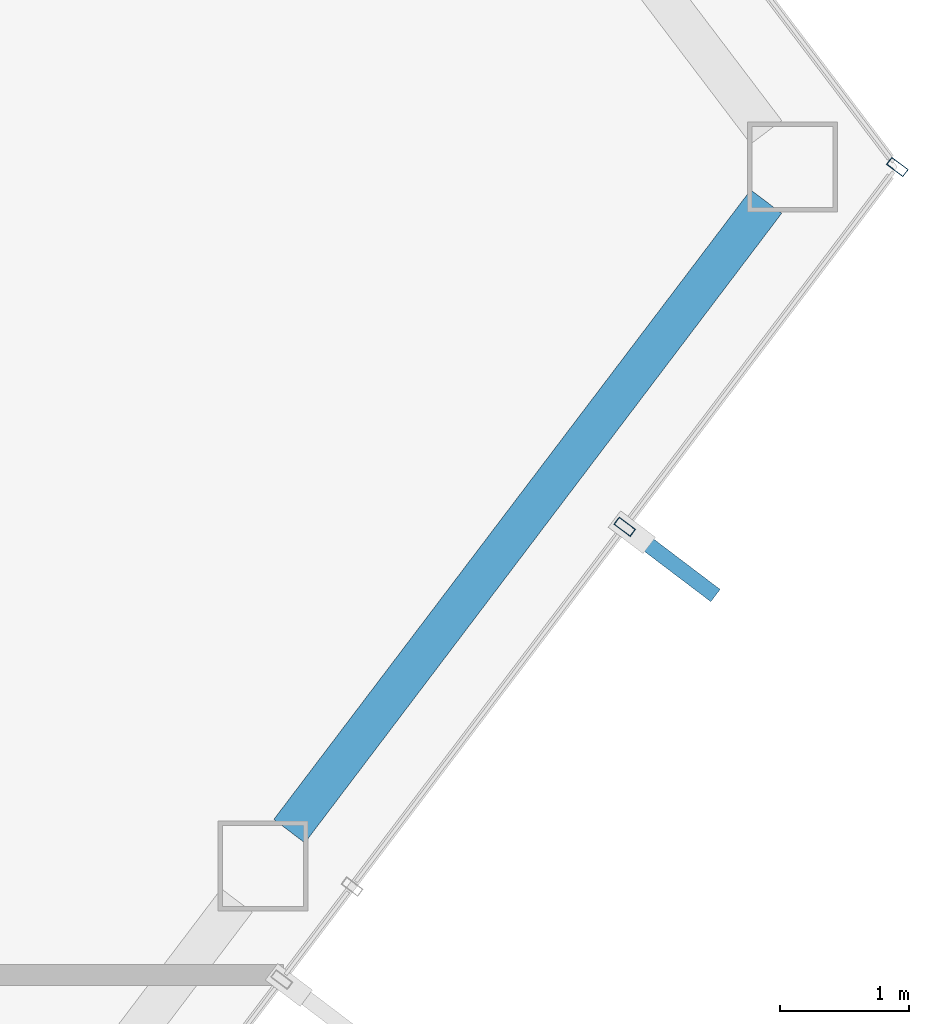
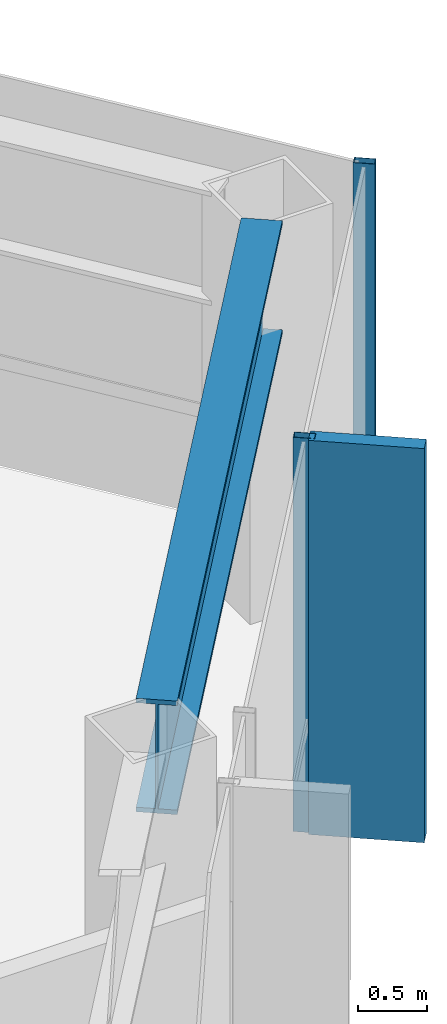
# One storey, part 21 of 28: 3 members, 1 beam, 1 element without a shape of its own.
"""IFC4 building model written with IfcOpenShell, lengths in metres."""

from ifc_helpers import new_model, si_unit, direction, frame, origin, origin_2d, place, context, subcontext, project, spatial, rectangle, hollow_rectangle, i_section, extrude, material, layer, layer_set, material_profile, profile_set, type_object, element, aggregate, save


model = new_model("IFC4")

# Units and contexts
model_context = context("Model", 3, precision=1e-05, world=origin(), true_north=direction((0.0, 1.0)))
body_context = subcontext(model_context, "Body", "Model", "MODEL_VIEW")
ifc_project = project(units=[si_unit("LENGTHUNIT", "METRE"), si_unit("AREAUNIT", "SQUARE_METRE"), si_unit("VOLUMEUNIT", "CUBIC_METRE"), si_unit("PLANEANGLEUNIT", "RADIAN"), si_unit("MASSUNIT", "GRAM", prefix="KILO")], contexts=[model_context])

# Site, building, storey
site_placement = place(None, origin())
site = spatial("IfcSite", under=ifc_project, at=site_placement, CompositionType="ELEMENT")
building_placement = place(site_placement, origin())
building = spatial("IfcBuilding", under=site, at=building_placement, Name="Zarrinselat Tower", CompositionType="ELEMENT")
storey_placement = place(building_placement, frame((0.0, 0.0, 164.56005859375)))
storey = spatial("IfcBuildingStorey", under=building, at=storey_placement, Name="L40", CompositionType="ELEMENT", Elevation=164.56005859375)

# Beam
ifc_material_1 = material(Name="Steel S460M", Category="steel")
ifc_material_profile_1 = material_profile(ifc_material_1, i_section(OverallWidth=0.302001953125, OverallDepth=1.008056640625, WebThickness=0.02099609375, FlangeThickness=0.0400390625, at=origin_2d()), Name="HEM 1000")
ifc_profile_set_1 = profile_set([ifc_material_profile_1], Name="Steel S460M")
beam_type = type_object("IfcBeamType", Name="BM-HEM1000", PredefinedType="BEAM", material=ifc_profile_set_1)
beam_placement = place(storey_placement, frame((58.290283203125, 34.87060546875, 2.995849609375), z_axis=(0.603867640738, 0.7970846081, 0.0), x_axis=(-0.7970846081, 0.603867640738, 0.0)))
element("IfcBeam", 1, at=beam_placement, inside=storey, type_object=beam_type, Name="L40 Perimeter Spandrel Girder SP14", PredefinedType="BEAM", context=body_context, shape_type="SweptSolid", body=[
    extrude(i_section(OverallWidth=0.302001953125, OverallDepth=1.008056640625, WebThickness=0.02099609375, FlangeThickness=0.0400390625, at=origin_2d()), origin(), (0.0, 0.0, 1.0), 6.1396484375),
])

# Curtain wall, members
ifc_material_2 = material(Name="Extruded Aluminium Alloy EN AW-6063 T6", Category="aluminium")
ifc_layer = layer(ifc_material_2, 0.175048828125)
ifc_layer_set = layer_set([ifc_layer], Name="Extruded Aluminium Alloy EN AW-6063 T6")
curtain_wall_type = type_object("IfcCurtainWallType", Name="CWS-HTL", PredefinedType="NOTDEFINED", material=ifc_layer_set)
curtain_wall_placement = place(storey_placement, origin())
curtain_wall = element("IfcCurtainWall", 2, at=curtain_wall_placement, inside=storey, type_object=curtain_wall_type, Name="L40 Unitised Curtain Wall CW-L40-E05", PredefinedType="NOTDEFINED")
ifc_material_3 = material(Name="Extruded Aluminium Alloy EN AW-6063 T6", Category="aluminium")
ifc_material_profile_2 = material_profile(ifc_material_3, hollow_rectangle(XDim=0.070068359375, YDim=0.159912109375, WallThickness=0.00390625, at=origin_2d()), Name="RHS 160x70x4")
ifc_profile_set_2 = profile_set([ifc_material_profile_2], Name="Extruded Aluminium Alloy EN AW-6063 T6")
member_type_1 = type_object("IfcMemberType", Name="MEM-CW-MUL2", PredefinedType="MULLION", material=ifc_profile_set_2)
member_1_placement = place(storey_placement, frame((60.89794921875, 37.236083984375, 0.0), z_axis=(0.0, 0.0, 1.0), x_axis=(0.603858853713, 0.797091265033, 0.0)))
member_1 = element("IfcMember", 3, at=member_1_placement, type_object=member_type_1, Name="CW-L40-E05 Mullion 9", PredefinedType="MULLION", context=body_context, shape_type="SweptSolid", body=[
    extrude(hollow_rectangle(XDim=0.070068359375, YDim=0.159912109375, WallThickness=0.00390625, at=origin_2d()), origin(), (0.0, 0.0, 1.0), 3.5),
])
member_2_placement = place(storey_placement, frame((63.017333984375, 40.03369140625, 0.0), z_axis=(0.0, 0.0, 1.0), x_axis=(0.603858853713, 0.797091265033, 0.0)))
member_2 = element("IfcMember", 4, at=member_2_placement, type_object=member_type_1, Name="CW-L40-E05 Mullion 10", PredefinedType="MULLION", context=body_context, shape_type="SweptSolid", body=[
    extrude(hollow_rectangle(XDim=0.070068359375, YDim=0.159912109375, WallThickness=0.00390625, at=origin_2d()), origin(), (0.0, 0.0, 1.0), 3.5),
])
ifc_material_4 = material(Name="Honed Cream Travertine Stone", Category="masonry")
ifc_material_profile_3 = material_profile(ifc_material_4, rectangle(XDim=0.1201171875, YDim=0.85009765625, at=origin_2d()), Name="FIN 850x120")
ifc_profile_set_3 = profile_set([ifc_material_profile_3], Name="Honed Cream Travertine Stone")
member_type_2 = type_object("IfcMemberType", Name="MEM-STONE-FIN", PredefinedType="USERDEFINED", material=ifc_profile_set_3)
member_3_placement = place(storey_placement, frame((61.2646484375, 36.95849609375, 0.0), z_axis=(0.0, 0.0, 1.0), x_axis=(-0.603858853713, -0.797091265033, 0.0)))
member_3 = element("IfcMember", 5, at=member_3_placement, type_object=member_type_2, Name="L40 Stone Shading Fin CW-L40-E05-09", ObjectType="FIN", PredefinedType="USERDEFINED", context=body_context, shape_type="SweptSolid", body=[
    extrude(rectangle(XDim=0.1201171875, YDim=0.85009765625, at=origin_2d()), origin(), (0.0, 0.0, 1.0), 3.5),
])
aggregate(curtain_wall, [member_1, member_3, member_2])

save(model, "model.ifc")
